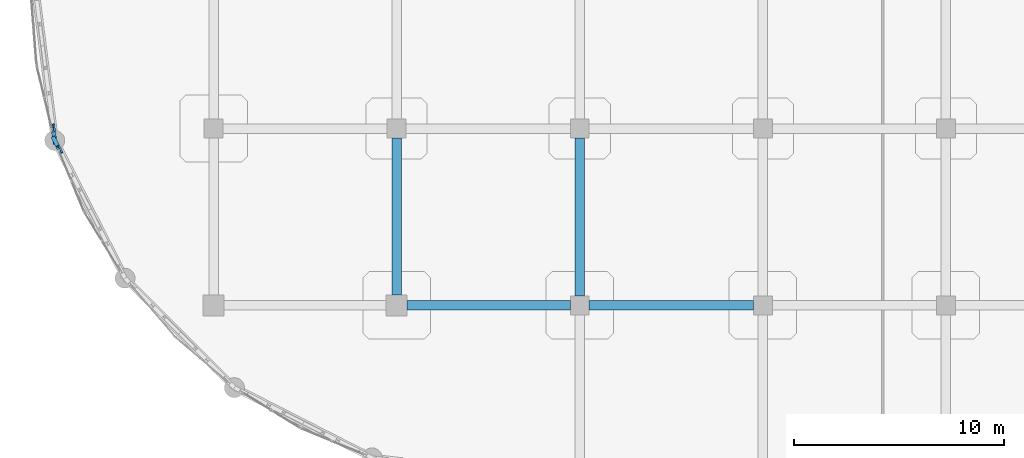
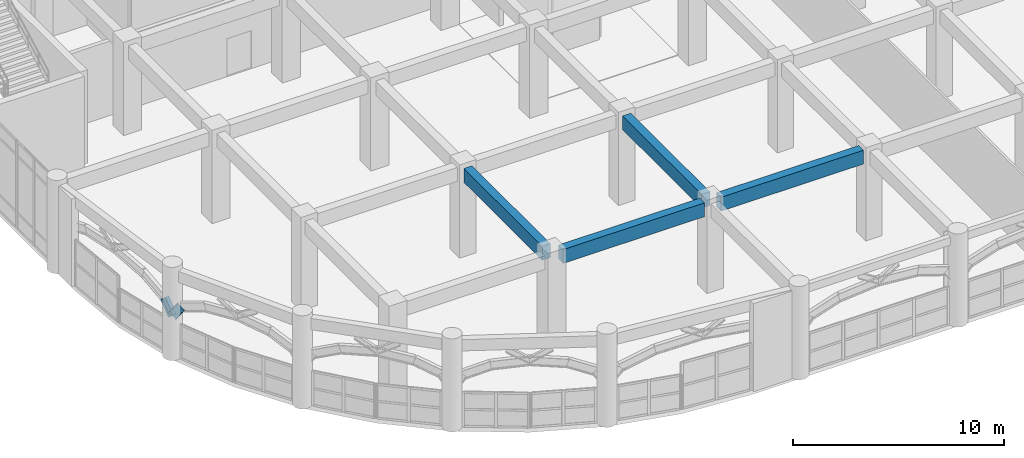
# One storey, part 7 of 114: 6 beams.
"""IFC4 building model written with IfcOpenShell, lengths in metres."""

from ifc_helpers import new_model, si_unit, derived_unit, direction, frame, origin, origin_2d, place, context, subcontext, project, spatial, rectangle, i_section, extrude, material, material_profile, profile_set, type_object, element, save


model = new_model("IFC4")

# Units and contexts
model_context = context("Model", 3, precision=1e-05, world=origin(), true_north=direction((0.0, 1.0)))
body_context = subcontext(model_context, "Body", "Model", "MODEL_VIEW")
ifc_project = project(units=[si_unit("LENGTHUNIT", "METRE"), si_unit("AREAUNIT", "SQUARE_METRE"), si_unit("VOLUMEUNIT", "CUBIC_METRE"), si_unit("PLANEANGLEUNIT", "RADIAN"), si_unit("MASSUNIT", "GRAM", prefix="KILO"), derived_unit("THERMALTRANSMITTANCEUNIT", [(si_unit("MASSUNIT", "GRAM", prefix="KILO"), 1), (si_unit("TIMEUNIT", "SECOND"), -3), (si_unit("THERMODYNAMICTEMPERATUREUNIT", "KELVIN"), -1)])], contexts=[model_context])

# Site, building, storey
site_placement = place(None, origin())
site = spatial("IfcSite", under=ifc_project, at=site_placement, CompositionType="ELEMENT")
building_placement = place(site_placement, origin())
building = spatial("IfcBuilding", under=site, at=building_placement, Name="Qinzheling Arcade Emporium", CompositionType="ELEMENT")
storey_placement = place(building_placement, frame((0.0, 0.0, 6.0)))
storey = spatial("IfcBuildingStorey", under=building, at=storey_placement, Name="L02", CompositionType="ELEMENT", Elevation=6.0)

# Beams
ifc_material_1 = material(Name="Weathering steel Q355NH", Category="steel")
ifc_material_profile_1 = material_profile(ifc_material_1, i_section(OverallWidth=0.199951171875, OverallDepth=0.5, WebThickness=0.010009765625, FlangeThickness=0.01611328125, FilletRadius=0.01806640625, at=origin_2d()), Name="HN 500x200x10x16", Category="steel")
ifc_profile_set_1 = profile_set([ifc_material_profile_1], Name="Weathering steel Q355NH")
beam_type_1 = type_object("IfcBeamType", Name="Arcade End Arch Rib HN500 Q355NH", PredefinedType="BEAM", material=ifc_profile_set_1)
beam_1_placement = place(storey_placement, frame((1.072998046875, 16.837890625, 2.988037109375), z_axis=(0.082247070844, -0.641527152586, -0.762678393448), x_axis=(0.991881664686, 0.127164315985, 0.0)))
element("IfcBeam", 1, at=beam_1_placement, inside=storey, type_object=beam_type_1, Name="Curved Arcade Entrance Arch ARC-L02-CV1-B01-C06", PredefinedType="BEAM", context=body_context, shape_type="SweptSolid", body=[
    extrude(i_section(OverallWidth=0.199951171875, OverallDepth=0.5, WebThickness=0.010009765625, FlangeThickness=0.01611328125, FilletRadius=0.01806640625, at=origin_2d()), origin(), (0.0, 0.0, 1.0), 0.93505859375),
])
beam_2_placement = place(storey_placement, frame((1.14990234375, 16.238037109375, 2.27490234375), z_axis=(0.258537508757, -0.506373029134, 0.822644948888), x_axis=(0.890630875605, 0.454726998779, 0.0)))
element("IfcBeam", 2, at=beam_2_placement, inside=storey, type_object=beam_type_1, Name="Curved Arcade Entrance Arch ARC-L02-CV1-B02-C01", PredefinedType="BEAM", context=body_context, shape_type="SweptSolid", body=[
    extrude(i_section(OverallWidth=0.199951171875, OverallDepth=0.5, WebThickness=0.010009765625, FlangeThickness=0.01611328125, FilletRadius=0.01806640625, at=origin_2d()), origin(), (0.0, 0.0, 1.0), 0.866943359375),
])
ifc_material_2 = material(Name="Concrete C40", Category="concrete")
ifc_material_profile_2 = material_profile(ifc_material_2, rectangle(XDim=0.449951171875, YDim=0.800048828125, at=origin_2d()), Name="RC 450x800", Category="concrete")
ifc_profile_set_2 = profile_set([ifc_material_profile_2], Name="Concrete C40")
beam_type_2 = type_object("IfcBeamType", Name="RC Primary Frame Beam 450x800 C40", PredefinedType="BEAM", material=ifc_profile_set_2)
beam_3_placement = place(storey_placement, frame((17.89990234375, 8.39990234375, 4.719970703125), z_axis=(1.0, 0.0, 0.0), x_axis=(0.0, 1.0, 0.0)))
element("IfcBeam", 3, at=beam_3_placement, inside=storey, type_object=beam_type_2, Name="Beam BM-L02-X-B-3", PredefinedType="BEAM", context=body_context, shape_type="SweptSolid", body=[
    extrude(rectangle(XDim=0.449951171875, YDim=0.800048828125, at=origin_2d()), origin(), (0.0, 0.0, 1.0), 7.75),
])
beam_4_placement = place(storey_placement, frame((26.550048828125, 8.39990234375, 4.719970703125), z_axis=(1.0, 0.0, 0.0), x_axis=(0.0, 1.0, 0.0)))
element("IfcBeam", 4, at=beam_4_placement, inside=storey, type_object=beam_type_2, Name="Beam BM-L02-X-B-4", PredefinedType="BEAM", context=body_context, shape_type="SweptSolid", body=[
    extrude(rectangle(XDim=0.449951171875, YDim=0.800048828125, at=origin_2d()), origin(), (0.0, 0.0, 1.0), 7.800048828125),
])
beam_5_placement = place(storey_placement, frame((17.39990234375, 8.89990234375, 4.719970703125), z_axis=(0.0, 1.0, 0.0), x_axis=(-1.0, 0.0, 0.0)))
element("IfcBeam", 5, at=beam_5_placement, inside=storey, type_object=beam_type_2, Name="Beam BM-L02-Y-3-B", PredefinedType="BEAM", context=body_context, shape_type="SweptSolid", body=[
    extrude(rectangle(XDim=0.449951171875, YDim=0.800048828125, at=origin_2d()), origin(), (0.0, 0.0, 1.0), 7.4501953125),
])
beam_6_placement = place(storey_placement, frame((26.10009765625, 8.85009765625, 4.719970703125), z_axis=(0.0, 1.0, 0.0), x_axis=(-1.0, 0.0, 0.0)))
element("IfcBeam", 6, at=beam_6_placement, inside=storey, type_object=beam_type_2, Name="Beam BM-L02-Y-4-B", PredefinedType="BEAM", context=body_context, shape_type="SweptSolid", body=[
    extrude(rectangle(XDim=0.449951171875, YDim=0.800048828125, at=origin_2d()), origin(), (0.0, 0.0, 1.0), 7.5),
])

save(model, "model.ifc")
